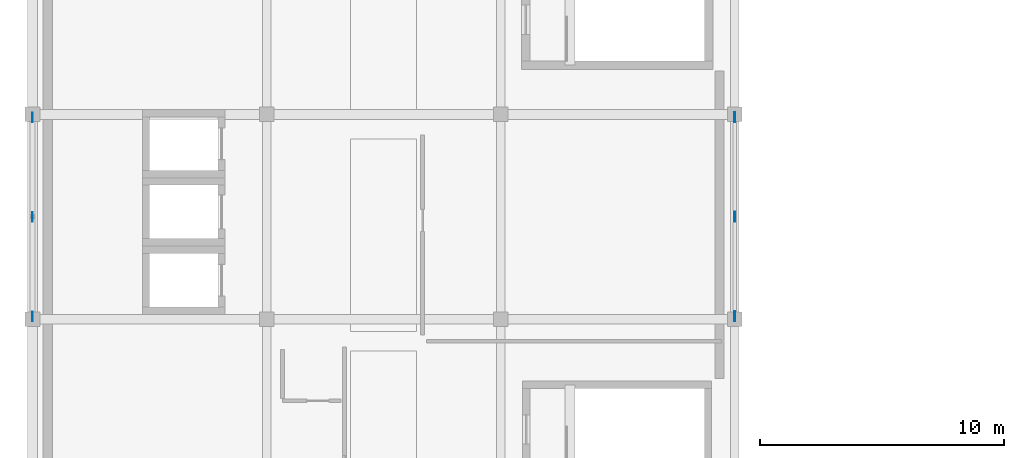
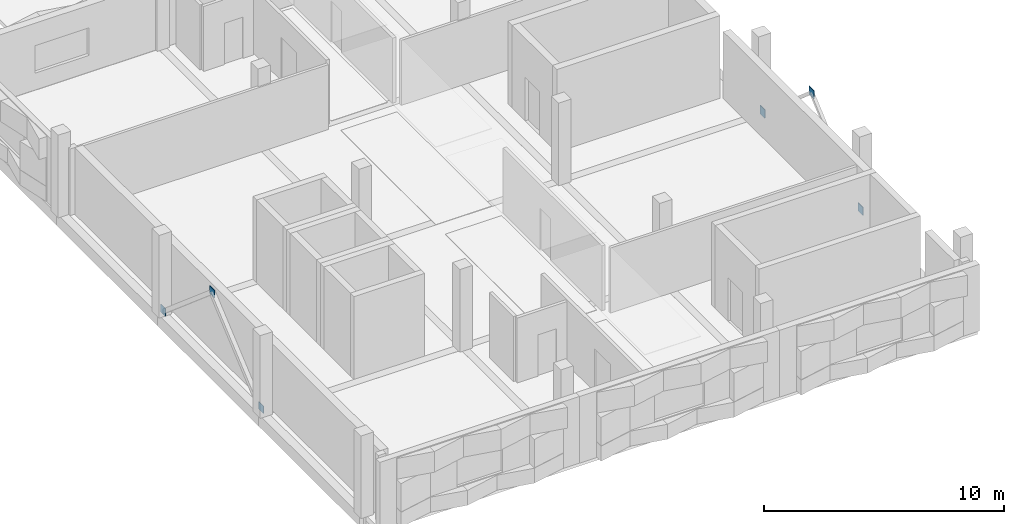
# One storey, part 5 of 18: 6 plates.
"""IFC4 building model written with IfcOpenShell, lengths in metres."""

from ifc_helpers import new_model, si_unit, direction, frame, origin, origin_2d, place, context, subcontext, project, spatial, rectangle, extrude, material, layer, layer_set, type_object, element, save


model = new_model("IFC4")

# Units and contexts
model_context = context("Model", 3, precision=1e-05, world=origin(), true_north=direction((0.0, 1.0)))
body_context = subcontext(model_context, "Body", "Model", "MODEL_VIEW")
ifc_project = project(units=[si_unit("LENGTHUNIT", "METRE"), si_unit("AREAUNIT", "SQUARE_METRE"), si_unit("VOLUMEUNIT", "CUBIC_METRE"), si_unit("PLANEANGLEUNIT", "RADIAN"), si_unit("MASSUNIT", "GRAM", prefix="KILO")], contexts=[model_context])

# Site, building, storey
site_placement = place(None, origin())
site = spatial("IfcSite", under=ifc_project, at=site_placement, CompositionType="ELEMENT")
building_placement = place(site_placement, origin())
building = spatial("IfcBuilding", under=site, at=building_placement, Name="Oolite Switchyard Hospital", CompositionType="ELEMENT")
storey_placement = place(building_placement, frame((0.0, 0.0, 26.199951171875)))
storey = spatial("IfcBuildingStorey", under=building, at=storey_placement, Name="L06", CompositionType="ELEMENT", Elevation=26.199951171875)

# Plates
ifc_material = material(Name="Steel ASTM A572 Grade 50", Category="steel")
ifc_layer_1 = layer(ifc_material, 0.02587890625)
ifc_layer_set_1 = layer_set([ifc_layer_1], Name="PLT-GUS-390")
plate_type_1 = type_object("IfcPlateType", Name="PLT-GUS-390", PredefinedType="SHEET", material=ifc_layer_set_1)
for number, where, z_axis, x_axis, name in (
    (1, (0.0, 50.52001953125, 0.0048828125), (0.0, 0.0, 1.0), (0.0, 1.0, 0.0), "L06 Brace Base Gusset Plate 19"),
    (2, (0.0, 58.679931640625, 0.0048828125), (0.0, 0.0, 1.0), (0.0, 1.0, 0.0), "L06 Brace Base Gusset Plate 20"),
    (3, (0.0, 54.60009765625, 3.4052734375), (0.0, 0.0, 1.0), (0.0, 1.0, 0.0), "L06 Gusset Connection Plate 21"),
):
    element("IfcPlate", number, at=place(storey_placement, frame(where, z_axis=z_axis, x_axis=x_axis)), inside=storey, type_object=plate_type_1, Name=name, PredefinedType="SHEET", context=body_context, shape_type="SweptSolid", body=[
        extrude(rectangle(XDim=0.389892578125, YDim=0.02587890625, at=origin_2d()), origin(), (0.0, 0.0, 1.0), 0.389892578125),
    ])
ifc_layer_2 = layer(ifc_material, 0.028076171875)
ifc_layer_set_2 = layer_set([ifc_layer_2], Name="PLT-GUS-420")
plate_type_2 = type_object("IfcPlateType", Name="PLT-GUS-420", PredefinedType="SHEET", material=ifc_layer_set_2)
for number, where, z_axis, x_axis, name in (
    (4, (28.800048828125, 50.52001953125, -0.010009765625), (0.0, 0.0, 1.0), (0.0, 1.0, 0.0), "L06 Brace Base Gusset Plate 40"),
    (5, (28.800048828125, 58.679931640625, -0.010009765625), (0.0, 0.0, 1.0), (0.0, 1.0, 0.0), "L06 Brace Base Gusset Plate 41"),
    (6, (28.800048828125, 54.60009765625, 3.440185546875), (0.0, 0.0, 1.0), (0.0, 1.0, 0.0), "L06 Gusset Connection Plate 42"),
):
    element("IfcPlate", number, at=place(storey_placement, frame(where, z_axis=z_axis, x_axis=x_axis)), inside=storey, type_object=plate_type_2, Name=name, PredefinedType="SHEET", context=body_context, shape_type="SweptSolid", body=[
        extrude(rectangle(XDim=0.419921875, YDim=0.028076171875, at=origin_2d()), origin(), (0.0, 0.0, 1.0), 0.419921875),
    ])

save(model, "model.ifc")
